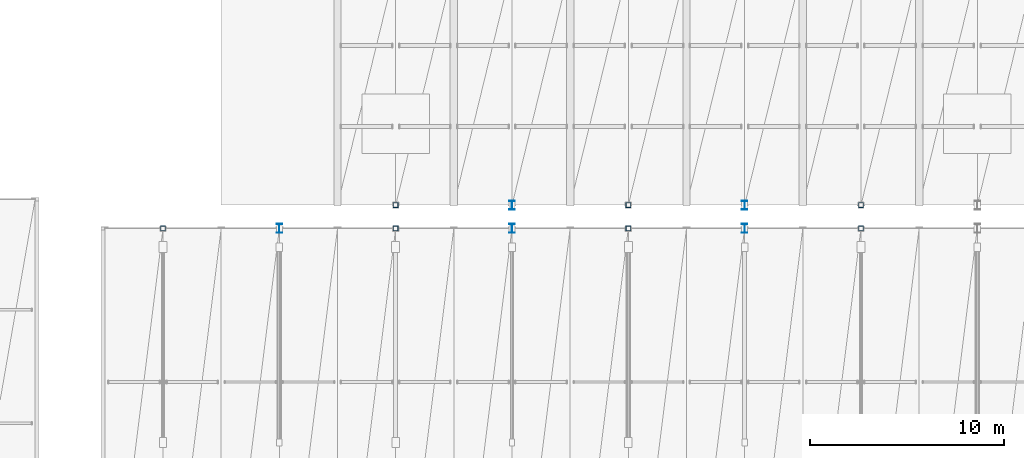
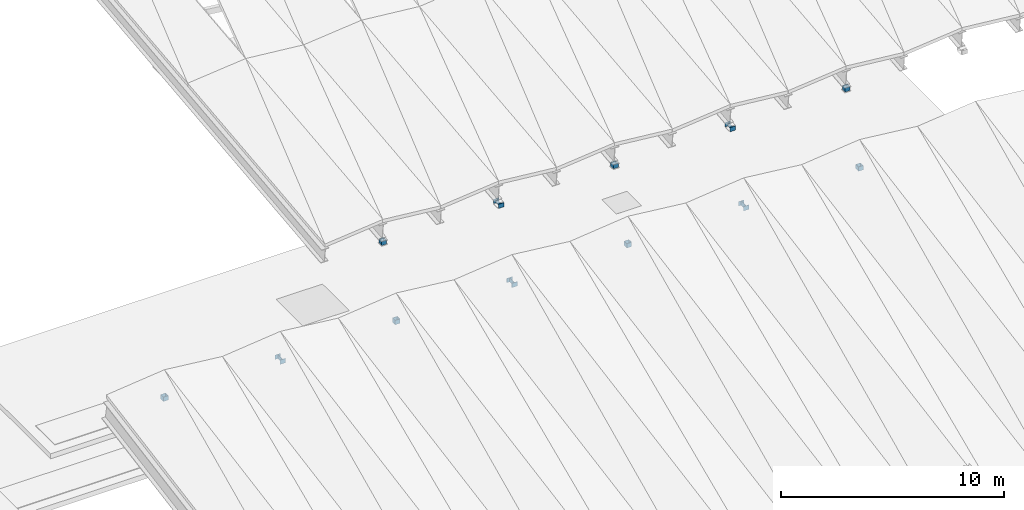
# One storey, part 14 of 52: 12 members.
"""IFC4 building model written with IfcOpenShell, lengths in metres."""

from ifc_helpers import new_model, si_unit, direction, frame, origin, origin_2d, place, context, subcontext, project, spatial, hollow_rectangle, i_section, extrude, material, material_profile, profile_set, type_object, element, save


model = new_model("IFC4")

# Units and contexts
model_context = context("Model", 3, precision=1e-05, world=origin(), true_north=direction((0.0, 1.0)))
body_context = subcontext(model_context, "Body", "Model", "MODEL_VIEW")
ifc_project = project(units=[si_unit("LENGTHUNIT", "METRE"), si_unit("AREAUNIT", "SQUARE_METRE"), si_unit("VOLUMEUNIT", "CUBIC_METRE"), si_unit("PLANEANGLEUNIT", "RADIAN"), si_unit("MASSUNIT", "GRAM", prefix="KILO")], contexts=[model_context])

# Site, building, storey
site_placement = place(None, origin())
site = spatial("IfcSite", under=ifc_project, at=site_placement, CompositionType="ELEMENT")
building_placement = place(site_placement, origin())
building = spatial("IfcBuilding", under=site, at=building_placement, Name="Vaelkrest Opera House", CompositionType="ELEMENT")
storey_placement = place(building_placement, frame((0.0, 0.0, 41.39990234375)))
storey = spatial("IfcBuildingStorey", under=building, at=storey_placement, Name="ROOF", CompositionType="ELEMENT", Elevation=41.39990234375)

# Members
ifc_material_1 = material(Name="Steel A992 Gr50", Category="steel")
ifc_material_profile_1 = material_profile(ifc_material_1, i_section(OverallWidth=0.280029296875, OverallDepth=0.462890625, WebThickness=0.0107421875, FlangeThickness=0.017333984375, at=origin_2d()), Name="W18X76")
ifc_profile_set_1 = profile_set([ifc_material_profile_1], Name="Steel A992 Gr50")
member_type_1 = type_object("IfcMemberType", Name="TC01", PredefinedType="CHORD", material=ifc_profile_set_1)
for number, where, z_axis, x_axis, name in (
    (1, (-21.0, 16.199951171875, -4.6259765625), (0.0, 0.0, 1.0), (1.0, 0.0, 0.0), "Ridge saddle post V1-N-03"),
    (2, (-9.0, 16.199951171875, -4.6259765625), (0.0, 0.0, 1.0), (1.0, 0.0, 0.0), "Ridge saddle post V1-N-07"),
    (3, (3.0, 16.199951171875, -4.6259765625), (0.0, 0.0, 1.0), (1.0, 0.0, 0.0), "Ridge saddle post V1-N-11"),
):
    element("IfcMember", number, at=place(storey_placement, frame(where, z_axis=z_axis, x_axis=x_axis)), inside=storey, type_object=member_type_1, Name=name, PredefinedType="CHORD", context=body_context, shape_type="SweptSolid", body=[
        extrude(i_section(OverallWidth=0.280029296875, OverallDepth=0.462890625, WebThickness=0.0107421875, FlangeThickness=0.017333984375, at=origin_2d()), origin(), (0.0, 0.0, 1.0), 0.238037109375),
    ])
for number, where, z_axis, x_axis, name in (
    (4, (-9.0, 17.39990234375, -1.014892578125), (0.0, 0.0, 1.0), (1.0, 0.0, 0.0), "Ridge saddle post V2-S-03"),
    (5, (3.0, 17.39990234375, -1.014892578125), (0.0, 0.0, 1.0), (1.0, 0.0, 0.0), "Ridge saddle post V2-S-07"),
):
    element("IfcMember", number, at=place(storey_placement, frame(where, z_axis=z_axis, x_axis=x_axis)), inside=storey, type_object=member_type_1, Name=name, PredefinedType="CHORD", context=body_context, shape_type="SweptSolid", body=[
        extrude(i_section(OverallWidth=0.280029296875, OverallDepth=0.462890625, WebThickness=0.0107421875, FlangeThickness=0.017333984375, at=origin_2d()), origin(), (0.0, 0.0, 1.0), 0.22802734375),
    ])
ifc_material_2 = material(Name="Steel A500 GrC", Category="steel")
ifc_material_profile_2 = material_profile(ifc_material_2, hollow_rectangle(XDim=0.25390625, YDim=0.25390625, WallThickness=0.0126953125, at=origin_2d()), Name="HSS254X254X12.7")
ifc_profile_set_2 = profile_set([ifc_material_profile_2], Name="Steel A500 GrC")
member_type_2 = type_object("IfcMemberType", Name="TC04", PredefinedType="CHORD", material=ifc_profile_set_2)
for number, where, z_axis, x_axis, name in (
    (6, (-27.0, 16.199951171875, -4.6259765625), (0.0, 0.0, 1.0), (1.0, 0.0, 0.0), "Ridge saddle post V1-N-01"),
    (7, (-15.0, 16.199951171875, -4.6259765625), (0.0, 0.0, 1.0), (1.0, 0.0, 0.0), "Ridge saddle post V1-N-05"),
    (8, (-3.0, 16.199951171875, -4.6259765625), (0.0, 0.0, 1.0), (1.0, 0.0, 0.0), "Ridge saddle post V1-N-09"),
    (9, (9.0, 16.199951171875, -4.6259765625), (0.0, 0.0, 1.0), (1.0, 0.0, 0.0), "Ridge saddle post V1-N-13"),
):
    element("IfcMember", number, at=place(storey_placement, frame(where, z_axis=z_axis, x_axis=x_axis)), inside=storey, type_object=member_type_2, Name=name, PredefinedType="CHORD", context=body_context, shape_type="SweptSolid", body=[
        extrude(hollow_rectangle(XDim=0.25390625, YDim=0.25390625, WallThickness=0.0126953125, at=origin_2d()), origin(), (0.0, 0.0, 1.0), 0.238037109375),
    ])
for number, where, z_axis, x_axis, name in (
    (10, (-15.0, 17.39990234375, -1.014892578125), (0.0, 0.0, 1.0), (1.0, 0.0, 0.0), "Ridge saddle post V2-S-01"),
    (11, (-3.0, 17.39990234375, -1.014892578125), (0.0, 0.0, 1.0), (1.0, 0.0, 0.0), "Ridge saddle post V2-S-05"),
    (12, (9.0, 17.39990234375, -1.014892578125), (0.0, 0.0, 1.0), (1.0, 0.0, 0.0), "Ridge saddle post V2-S-09"),
):
    element("IfcMember", number, at=place(storey_placement, frame(where, z_axis=z_axis, x_axis=x_axis)), inside=storey, type_object=member_type_2, Name=name, PredefinedType="CHORD", context=body_context, shape_type="SweptSolid", body=[
        extrude(hollow_rectangle(XDim=0.25390625, YDim=0.25390625, WallThickness=0.0126953125, at=origin_2d()), origin(), (0.0, 0.0, 1.0), 0.22802734375),
    ])

save(model, "model.ifc")
